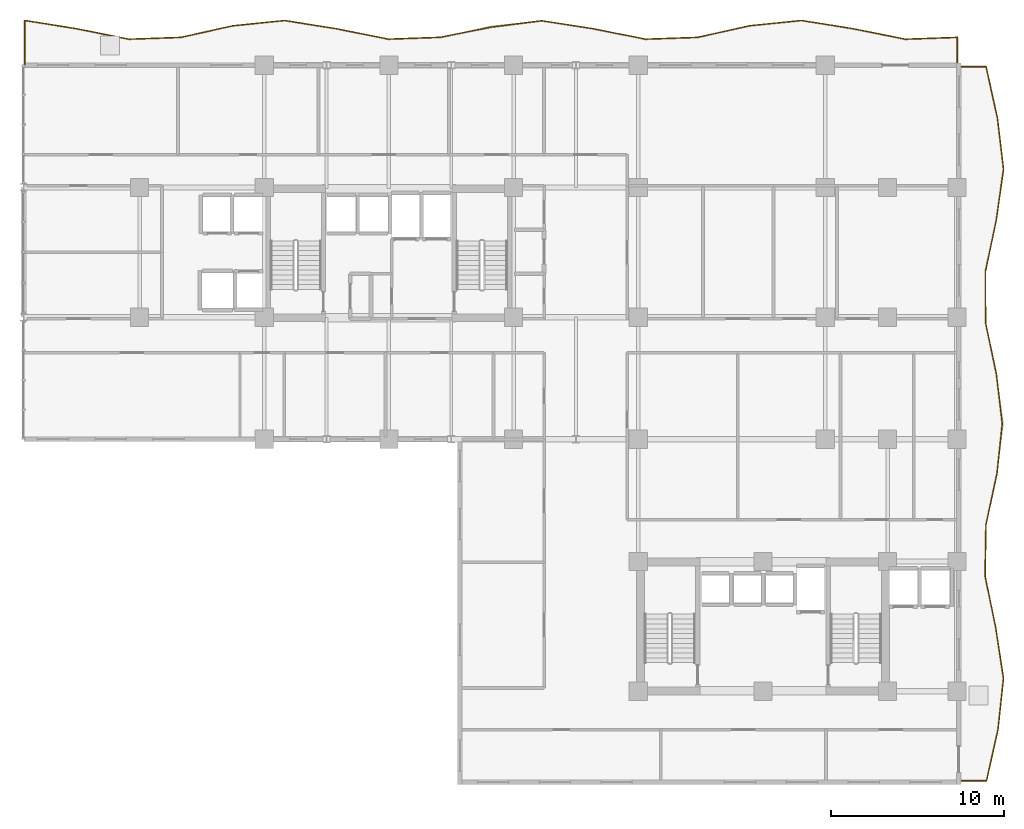
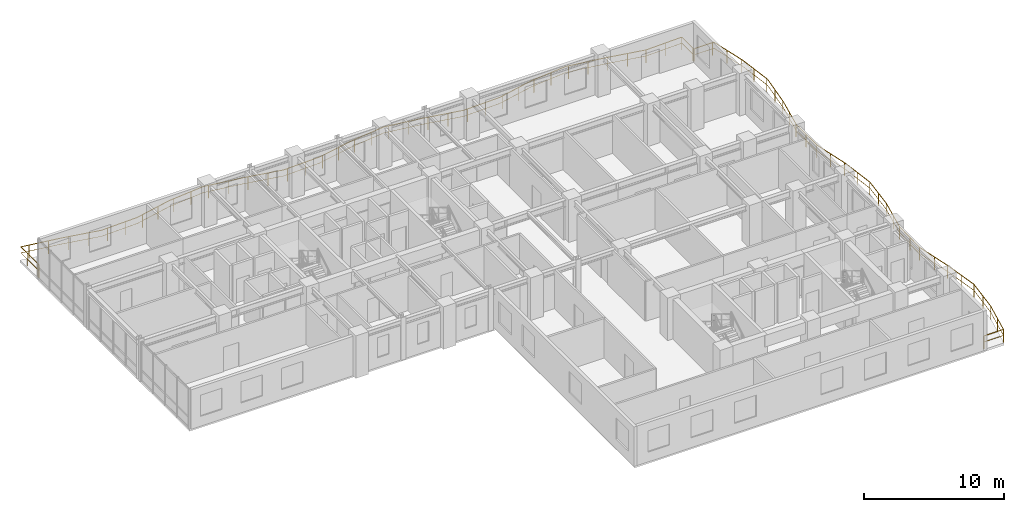
# One storey, part 19 of 19: 2 railings.
"""IFC4 building model written with IfcOpenShell, lengths in metres."""

import ifcopenshell
import ifcopenshell.guid

model = None  # the IFC model being written
_history = None  # IfcOwnerHistory: only IFC2X3 demands one
_inside = {}  # id of a spatial element -> (the spatial element, [elements in it])
_under = {}  # id of a project, library or spatial element -> (it, [spatial elements below it])
_declared = {}  # id of a project -> (the project, [libraries it declares])
_typed = {}  # id of a type object -> (the type object, [elements of that type])
_made_of = {}  # id of a material, layer set ... -> (it, [elements and type objects made of it])


def new_model(schema):
    """Start an empty IFC model of exactly this schema.

    Asked for "IFC4X3", IfcOpenShell would pick the latest addendum, in which some entities
    have other attributes; the version numbers below select the first issue.
    IFC2X3 requires an IfcOwnerHistory on every rooted entity: one is made here for all.
    """
    global model, _history
    if schema == "IFC4X3":
        model = ifcopenshell.file(schema_version=(4, 3, 0, 0))
    else:
        model = ifcopenshell.file(schema=schema)
    _inside.clear()
    _under.clear()
    _declared.clear()
    _typed.clear()
    _made_of.clear()
    _history = None
    if model.schema == "IFC2X3":
        org = make("IfcOrganization", Name="unknown")
        user = make(
            "IfcPersonAndOrganization",
            ThePerson=make("IfcPerson", FamilyName="unknown"),
            TheOrganization=org,
        )
        app = make(
            "IfcApplication",
            ApplicationDeveloper=org,
            Version="unknown",
            ApplicationFullName="unknown",
            ApplicationIdentifier="unknown",
        )
        _history = make(
            "IfcOwnerHistory",
            OwningUser=user,
            OwningApplication=app,
            ChangeAction="ADDED",
            CreationDate=0,
        )
    return model


def make(cls, **values):
    """One entity of the class cls with the attributes given. An attribute that is None is left unset."""
    return model.create_entity(
        cls, **{name: value for name, value in values.items() if value is not None}
    )


def rooted(cls, **values):
    """An entity with a GlobalId (a new one), such as an element, a storey or a relation."""
    return make(cls, GlobalId=ifcopenshell.guid.new(), OwnerHistory=_history, **values)


def si_unit(unit_type, name, prefix=None):
    """IfcSIUnit, for example si_unit("LENGTHUNIT", "METRE", prefix="MILLI")."""
    return make("IfcSIUnit", UnitType=unit_type, Prefix=prefix, Name=name)


def assignment(units):
    """IfcUnitAssignment: the units of a project."""
    return None if units is None else make("IfcUnitAssignment", Units=units)


def point(xyz):
    """IfcCartesianPoint."""
    return None if xyz is None else make("IfcCartesianPoint", Coordinates=xyz)


def direction(xyz):
    """IfcDirection."""
    return None if xyz is None else make("IfcDirection", DirectionRatios=xyz)


def frame(location, z_axis=None, x_axis=None):
    """IfcAxis2Placement3D, a coordinate frame: its origin and axes. An axis left out is left unset."""
    return make(
        "IfcAxis2Placement3D",
        Location=point(location),
        Axis=direction(z_axis),
        RefDirection=direction(x_axis),
    )


def frame_2d(location, x_axis=None):
    """IfcAxis2Placement2D, a coordinate frame in the plane: its origin and x axis."""
    return make(
        "IfcAxis2Placement2D", Location=point(location), RefDirection=direction(x_axis)
    )


def origin():
    """The frame at (0, 0, 0) with its axes left unset."""
    return frame((0.0, 0.0, 0.0))


def origin_2d():
    """The frame at (0, 0) in the plane with its x axis left unset."""
    return frame_2d((0.0, 0.0))


def place(relative_to, where):
    """IfcLocalPlacement: puts the frame where relative to a parent placement (None: the world)."""
    return make(
        "IfcLocalPlacement", PlacementRelTo=relative_to, RelativePlacement=where
    )


def context(
    kind, dimensions, precision=None, world=None, true_north=None, identifier=None
):
    """IfcGeometricRepresentationContext, for example the 3D "Model" context."""
    return make(
        "IfcGeometricRepresentationContext",
        ContextIdentifier=identifier,
        ContextType=kind,
        CoordinateSpaceDimension=dimensions,
        Precision=precision,
        WorldCoordinateSystem=world,
        TrueNorth=true_north,
    )


def subcontext(parent, identifier, kind, view, scale=None):
    """IfcGeometricRepresentationSubContext, for example "Body" below "Model"."""
    return make(
        "IfcGeometricRepresentationSubContext",
        ContextIdentifier=identifier,
        ContextType=kind,
        ParentContext=parent,
        TargetScale=scale,
        TargetView=view,
    )


def project(units=None, contexts=None):
    """IfcProject with its units and contexts."""
    return rooted(
        "IfcProject",
        Name="project",
        RepresentationContexts=contexts,
        UnitsInContext=assignment(units),
    )


def spatial(cls, under=None, at=None, **own):
    """A site, building, storey or space (cls), placed at a placement, below another one or the project."""
    s = rooted(cls, ObjectPlacement=at, **own)
    if under is not None:
        _under.setdefault(under.id(), (under, []))[1].append(s)
    return s


def profile(cls, at=None, kind="AREA", **sizes):
    """A parametric profile (cls). Its sizes go by their IFC names, for example OverallWidth=200.0."""
    return make(cls, ProfileType=kind, Position=at, **sizes)


def rectangle(**sizes):
    """IfcRectangleProfileDef."""
    return profile("IfcRectangleProfileDef", **sizes)


def extrude(swept, where, along, depth):
    """IfcExtrudedAreaSolid: the profile swept, set in the frame where, extruded along a direction by depth."""
    return make(
        "IfcExtrudedAreaSolid",
        SweptArea=swept,
        Position=where,
        ExtrudedDirection=direction(along),
        Depth=depth,
    )


def shape(context_of_items, identifier, shape_type, items):
    """IfcShapeRepresentation: the items that make up one representation, for example the "Body"."""
    return make(
        "IfcShapeRepresentation",
        ContextOfItems=context_of_items,
        RepresentationIdentifier=identifier,
        RepresentationType=shape_type,
        Items=items,
    )


def material(Name=None, Category=None):
    """IfcMaterial."""
    return make("IfcMaterial", Name=Name, Category=Category)


def made_of(thing, what):
    """Note that an element or type object is made of a material, layer set ...; save() writes the relation."""
    if what is not None:
        _made_of.setdefault(what.id(), (what, []))[1].append(thing)
    return thing


def type_object(cls, material=None, **own):
    """A type object (cls), such as IfcWallType, which elements share."""
    return made_of(rooted(cls, **own), material)


def element(
    cls,
    number,
    at=None,
    inside=None,
    cuts=None,
    type_object=None,
    material=None,
    context=None,
    identifier="Body",
    shape_type=None,
    held_by="IfcProductDefinitionShape",
    body=None,
    shapes=None,
    **own,
):
    """One element of the class cls, such as IfcWall. Its Tag is "e" and its number.

    at: its placement. inside: the storey or other place that contains it. cuts: it is an
    opening in that element (IfcRelVoidsElement). A single representation is given by context,
    identifier, shape_type and body (its items); several are given by shapes. held_by: the class
    of the entity that holds the representations. save() writes the other relations.
    """
    e = rooted(cls, Tag="e%d" % number, ObjectPlacement=at, **own)
    if body is not None:
        shapes = [shape(context, identifier, shape_type, body)]
    if shapes is not None:
        e.Representation = make(held_by, Representations=shapes)
    if inside is not None:
        _inside.setdefault(inside.id(), (inside, []))[1].append(e)
    if cuts is not None:
        rooted(
            "IfcRelVoidsElement", RelatingBuildingElement=cuts, RelatedOpeningElement=e
        )
    if type_object is not None:
        _typed.setdefault(type_object.id(), (type_object, []))[1].append(e)
    return made_of(e, material)


def aggregate(whole, parts):
    """IfcRelAggregates: a whole, such as a stair, and the parts it consists of."""
    return rooted("IfcRelAggregates", RelatingObject=whole, RelatedObjects=parts)


def save(model, path):
    """Write the relations noted so far, then the file.

    IfcRelAggregates (storeys below a building ...), IfcRelContainedInSpatialStructure (elements
    in a storey), IfcRelDefinesByType, IfcRelAssociatesMaterial and IfcRelDeclares: one each for
    every whole, place, type object, material and project.
    """
    for whole, parts in _under.values():
        aggregate(whole, parts)
    for where, things in _inside.values():
        rooted(
            "IfcRelContainedInSpatialStructure",
            RelatedElements=things,
            RelatingStructure=where,
        )
    for kind, things in _typed.values():
        rooted("IfcRelDefinesByType", RelatedObjects=things, RelatingType=kind)
    for what, things in _made_of.values():
        rooted("IfcRelAssociatesMaterial", RelatedObjects=things, RelatingMaterial=what)
    for by, libraries in _declared.values():
        rooted("IfcRelDeclares", RelatingContext=by, RelatedDefinitions=libraries)
    model.write(path)


model = new_model("IFC4")

# Units and contexts
model_context = context("Model", 3, precision=1e-05, world=origin(), true_north=direction((0.0, 1.0)))
body_context = subcontext(model_context, "Body", "Model", "MODEL_VIEW")
ifc_project = project(units=[si_unit("LENGTHUNIT", "METRE"), si_unit("AREAUNIT", "SQUARE_METRE"), si_unit("VOLUMEUNIT", "CUBIC_METRE"), si_unit("PLANEANGLEUNIT", "RADIAN"), si_unit("MASSUNIT", "GRAM", prefix="KILO")], contexts=[model_context])

# Site, building, storey
site_placement = place(None, origin())
site = spatial("IfcSite", under=ifc_project, at=site_placement, CompositionType="ELEMENT")
building_placement = place(site_placement, origin())
building = spatial("IfcBuilding", under=site, at=building_placement, Name="Kaliganga Portal Commons", CompositionType="ELEMENT")
storey_placement = place(building_placement, frame((0.0, 0.0, 140.199951171875)))
storey = spatial("IfcBuildingStorey", under=building, at=storey_placement, Name="L35", CompositionType="ELEMENT", Elevation=140.199951171875)

# Railings
ifc_material = material(Name="Laminated Safety Glass and Stainless Steel 316", Category="steel")
railing_type = type_object("IfcRailingType", Name="RLG-BAL-1150", PredefinedType="BALUSTRADE", material=ifc_material)
railing_1_placement = place(storey_placement, frame((54.420166015625, 43.205322265625, 0.0)))
element("IfcRailing", 1, at=railing_1_placement, inside=storey, type_object=railing_type, Name="Balcony Guardrail L35 balc_north", PredefinedType="BALUSTRADE", context=body_context, shape_type="SweptSolid", body=[
    extrude(rectangle(XDim=0.048095703125, YDim=0.048095703125, at=origin_2d()), frame((0.0, 0.0, 1.1259765625), z_axis=(-0.000151860287, 0.999999988469, 0.0), x_axis=(-0.999999988469, -0.000151860287, 0.0)), (0.0, 0.0, 1.0), 1.607666015625),
    extrude(rectangle(XDim=0.028076171875, YDim=0.028076171875, at=origin_2d()), frame((0.0, 0.0, 0.597900390625), z_axis=(-0.000151860287, 0.999999988469, 0.0), x_axis=(-0.999999988469, -0.000151860287, 0.0)), (0.0, 0.0, 1.0), 1.607666015625),
    extrude(rectangle(XDim=0.048095703125, YDim=0.048095703125, at=origin_2d()), frame((-0.000244140625, 1.607666015625, 1.1259765625), z_axis=(-0.999376866679, -0.035297001964, 0.0), x_axis=(0.035297001964, -0.999376866679, 0.0)), (0.0, 0.0, 1.0), 3.001953125),
    extrude(rectangle(XDim=0.028076171875, YDim=0.028076171875, at=origin_2d()), frame((-0.000244140625, 1.607666015625, 0.597900390625), z_axis=(-0.999376866679, -0.035297001964, 0.0), x_axis=(0.035297001964, -0.999376866679, 0.0)), (0.0, 0.0, 1.0), 3.001953125),
    extrude(rectangle(XDim=0.048095703125, YDim=0.048095703125, at=origin_2d()), frame((-3.000244140625, 1.501708984375, 1.1259765625), z_axis=(-0.98034369082, 0.197297359001, 0.0), x_axis=(-0.197297359001, -0.98034369082, 0.0)), (0.0, 0.0, 1.0), 3.06005859375),
    extrude(rectangle(XDim=0.028076171875, YDim=0.028076171875, at=origin_2d()), frame((-3.000244140625, 1.501708984375, 0.597900390625), z_axis=(-0.98034369082, 0.197297359001, 0.0), x_axis=(-0.197297359001, -0.98034369082, 0.0)), (0.0, 0.0, 1.0), 3.06005859375),
    extrude(rectangle(XDim=0.048095703125, YDim=0.048095703125, at=origin_2d()), frame((-6.000244140625, 2.10546875, 1.1259765625), z_axis=(-0.987502244451, 0.157604940292, 0.0), x_axis=(-0.157604940292, -0.987502244451, 0.0)), (0.0, 0.0, 1.0), 3.037841796875),
    extrude(rectangle(XDim=0.028076171875, YDim=0.028076171875, at=origin_2d()), frame((-6.000244140625, 2.10546875, 0.597900390625), z_axis=(-0.987502244451, 0.157604940292, 0.0), x_axis=(-0.157604940292, -0.987502244451, 0.0)), (0.0, 0.0, 1.0), 3.037841796875),
    extrude(rectangle(XDim=0.048095703125, YDim=0.048095703125, at=origin_2d()), frame((-9.0, 2.584228515625, 1.1259765625), z_axis=(-0.994776592164, -0.102076107309, 0.0), x_axis=(0.102076107309, -0.994776592164, 0.0)), (0.0, 0.0, 1.0), 3.01611328125),
    extrude(rectangle(XDim=0.028076171875, YDim=0.028076171875, at=origin_2d()), frame((-9.0, 2.584228515625, 0.597900390625), z_axis=(-0.994776592164, -0.102076107309, 0.0), x_axis=(0.102076107309, -0.994776592164, 0.0)), (0.0, 0.0, 1.0), 3.01611328125),
    extrude(rectangle(XDim=0.048095703125, YDim=0.048095703125, at=origin_2d()), frame((-12.000244140625, 2.2763671875, 1.1259765625), z_axis=(-0.976097261881, -0.217334155966, 0.0), x_axis=(0.217334155966, -0.976097261881, 0.0)), (0.0, 0.0, 1.0), 3.073486328125),
    extrude(rectangle(XDim=0.028076171875, YDim=0.028076171875, at=origin_2d()), frame((-12.000244140625, 2.2763671875, 0.597900390625), z_axis=(-0.976097261881, -0.217334155966, 0.0), x_axis=(0.217334155966, -0.976097261881, 0.0)), (0.0, 0.0, 1.0), 3.073486328125),
    extrude(rectangle(XDim=0.048095703125, YDim=0.048095703125, at=origin_2d()), frame((-15.000244140625, 1.6083984375, 1.1259765625), z_axis=(-0.999388289586, -0.034972083701, 0.0), x_axis=(0.034972083701, -0.999388289586, 0.0)), (0.0, 0.0, 1.0), 3.001953125),
    extrude(rectangle(XDim=0.028076171875, YDim=0.028076171875, at=origin_2d()), frame((-15.000244140625, 1.6083984375, 0.597900390625), z_axis=(-0.999388289586, -0.034972083701, 0.0), x_axis=(0.034972083701, -0.999388289586, 0.0)), (0.0, 0.0, 1.0), 3.001953125),
    extrude(rectangle(XDim=0.048095703125, YDim=0.048095703125, at=origin_2d()), frame((-18.000244140625, 1.50341796875, 1.1259765625), z_axis=(-0.98061749348, 0.195931956254, 0.0), x_axis=(-0.195931956254, -0.98061749348, 0.0)), (0.0, 0.0, 1.0), 3.05908203125),
    extrude(rectangle(XDim=0.028076171875, YDim=0.028076171875, at=origin_2d()), frame((-18.000244140625, 1.50341796875, 0.597900390625), z_axis=(-0.98061749348, 0.195931956254, 0.0), x_axis=(-0.195931956254, -0.98061749348, 0.0)), (0.0, 0.0, 1.0), 3.05908203125),
    extrude(rectangle(XDim=0.048095703125, YDim=0.048095703125, at=origin_2d()), frame((-21.0, 2.102783203125, 1.1259765625), z_axis=(-0.988188617306, 0.153242476572, 0.0), x_axis=(-0.153242476572, -0.988188617306, 0.0)), (0.0, 0.0, 1.0), 3.033447265625),
    extrude(rectangle(XDim=0.028076171875, YDim=0.028076171875, at=origin_2d()), frame((-21.0, 2.102783203125, 0.597900390625), z_axis=(-0.988188617306, 0.153242476572, 0.0), x_axis=(-0.153242476572, -0.988188617306, 0.0)), (0.0, 0.0, 1.0), 3.033447265625),
    extrude(rectangle(XDim=0.048095703125, YDim=0.048095703125, at=origin_2d()), frame((-23.99755859375, 2.567626953125, 1.1259765625), z_axis=(-0.99212797931, -0.125228082594, 0.0), x_axis=(0.125228082594, -0.99212797931, 0.0)), (0.0, 0.0, 1.0), 2.94580078125),
    extrude(rectangle(XDim=0.028076171875, YDim=0.028076171875, at=origin_2d()), frame((-23.99755859375, 2.567626953125, 0.597900390625), z_axis=(-0.99212797931, -0.125228082594, 0.0), x_axis=(0.125228082594, -0.99212797931, 0.0)), (0.0, 0.0, 1.0), 2.94580078125),
    extrude(rectangle(XDim=0.048095703125, YDim=0.048095703125, at=origin_2d()), frame((-26.920166015625, 2.19873046875, 1.1259765625), z_axis=(-0.980441712138, -0.196809677355, 0.0), x_axis=(0.196809677355, -0.980441712138, 0.0)), (0.0, 0.0, 1.0), 2.978515625),
    extrude(rectangle(XDim=0.028076171875, YDim=0.028076171875, at=origin_2d()), frame((-26.920166015625, 2.19873046875, 0.597900390625), z_axis=(-0.980441712138, -0.196809677355, 0.0), x_axis=(0.196809677355, -0.980441712138, 0.0)), (0.0, 0.0, 1.0), 2.978515625),
    extrude(rectangle(XDim=0.048095703125, YDim=0.048095703125, at=origin_2d()), frame((-29.84033203125, 1.612548828125, 1.1259765625), z_axis=(-0.999356623049, -0.035865581931, 0.0), x_axis=(0.035865581931, -0.999356623049, 0.0)), (0.0, 0.0, 1.0), 3.001953125),
    extrude(rectangle(XDim=0.028076171875, YDim=0.028076171875, at=origin_2d()), frame((-29.84033203125, 1.612548828125, 0.597900390625), z_axis=(-0.999356623049, -0.035865581931, 0.0), x_axis=(0.035865581931, -0.999356623049, 0.0)), (0.0, 0.0, 1.0), 3.001953125),
    extrude(rectangle(XDim=0.048095703125, YDim=0.048095703125, at=origin_2d()), frame((-32.84033203125, 1.5048828125, 1.1259765625), z_axis=(-0.98063282483, 0.195855208931, 0.0), x_axis=(-0.195855208931, -0.98063282483, 0.0)), (0.0, 0.0, 1.0), 3.05908203125),
    extrude(rectangle(XDim=0.028076171875, YDim=0.028076171875, at=origin_2d()), frame((-32.84033203125, 1.5048828125, 0.597900390625), z_axis=(-0.98063282483, 0.195855208931, 0.0), x_axis=(-0.195855208931, -0.98063282483, 0.0)), (0.0, 0.0, 1.0), 3.05908203125),
    extrude(rectangle(XDim=0.048095703125, YDim=0.048095703125, at=origin_2d()), frame((-35.840087890625, 2.10400390625, 1.1259765625), z_axis=(-0.987531233221, 0.15742319846, 0.0), x_axis=(-0.15742319846, -0.987531233221, 0.0)), (0.0, 0.0, 1.0), 3.0380859375),
    extrude(rectangle(XDim=0.028076171875, YDim=0.028076171875, at=origin_2d()), frame((-35.840087890625, 2.10400390625, 0.597900390625), z_axis=(-0.987531233221, 0.15742319846, 0.0), x_axis=(-0.15742319846, -0.987531233221, 0.0)), (0.0, 0.0, 1.0), 3.0380859375),
    extrude(rectangle(XDim=0.048095703125, YDim=0.048095703125, at=origin_2d()), frame((-38.84033203125, 2.582275390625, 1.1259765625), z_axis=(-0.994840481775, -0.101451544206, 0.0), x_axis=(0.101451544206, -0.994840481775, 0.0)), (0.0, 0.0, 1.0), 3.015380859375),
    extrude(rectangle(XDim=0.028076171875, YDim=0.028076171875, at=origin_2d()), frame((-38.84033203125, 2.582275390625, 0.597900390625), z_axis=(-0.994840481775, -0.101451544206, 0.0), x_axis=(0.101451544206, -0.994840481775, 0.0)), (0.0, 0.0, 1.0), 3.015380859375),
    extrude(rectangle(XDim=0.048095703125, YDim=0.048095703125, at=origin_2d()), frame((-41.840087890625, 2.2763671875, 1.1259765625), z_axis=(-0.976063548743, -0.217485514035, 0.0), x_axis=(0.217485514035, -0.976063548743, 0.0)), (0.0, 0.0, 1.0), 3.073486328125),
    extrude(rectangle(XDim=0.028076171875, YDim=0.028076171875, at=origin_2d()), frame((-41.840087890625, 2.2763671875, 0.597900390625), z_axis=(-0.976063548743, -0.217485514035, 0.0), x_axis=(0.217485514035, -0.976063548743, 0.0)), (0.0, 0.0, 1.0), 3.073486328125),
    extrude(rectangle(XDim=0.048095703125, YDim=0.048095703125, at=origin_2d()), frame((-44.840087890625, 1.60791015625, 1.1259765625), z_axis=(-0.999376866679, -0.035297001964, 0.0), x_axis=(0.035297001964, -0.999376866679, 0.0)), (0.0, 0.0, 1.0), 3.001953125),
    extrude(rectangle(XDim=0.028076171875, YDim=0.028076171875, at=origin_2d()), frame((-44.840087890625, 1.60791015625, 0.597900390625), z_axis=(-0.999376866679, -0.035297001964, 0.0), x_axis=(0.035297001964, -0.999376866679, 0.0)), (0.0, 0.0, 1.0), 3.001953125),
    extrude(rectangle(XDim=0.048095703125, YDim=0.048095703125, at=origin_2d()), frame((-47.840087890625, 1.501953125, 1.1259765625), z_axis=(-0.98034369082, 0.197297359001, 0.0), x_axis=(-0.197297359001, -0.98034369082, 0.0)), (0.0, 0.0, 1.0), 3.06005859375),
    extrude(rectangle(XDim=0.028076171875, YDim=0.028076171875, at=origin_2d()), frame((-47.840087890625, 1.501953125, 0.597900390625), z_axis=(-0.98034369082, 0.197297359001, 0.0), x_axis=(-0.197297359001, -0.98034369082, 0.0)), (0.0, 0.0, 1.0), 3.06005859375),
    extrude(rectangle(XDim=0.048095703125, YDim=0.048095703125, at=origin_2d()), frame((-50.840087890625, 2.105712890625, 1.1259765625), z_axis=(-0.987466694802, 0.157827521858, 0.0), x_axis=(-0.157827521858, -0.987466694802, 0.0)), (0.0, 0.0, 1.0), 3.0380859375),
    extrude(rectangle(XDim=0.028076171875, YDim=0.028076171875, at=origin_2d()), frame((-50.840087890625, 2.105712890625, 0.597900390625), z_axis=(-0.987466694802, 0.157827521858, 0.0), x_axis=(-0.157827521858, -0.987466694802, 0.0)), (0.0, 0.0, 1.0), 3.0380859375),
    extrude(rectangle(XDim=0.048095703125, YDim=0.048095703125, at=origin_2d()), frame((-53.840087890625, 2.585205078125, 1.1259765625), z_axis=(-9.4437624e-05, -0.999999995541, 0.0), x_axis=(0.999999995541, -9.4437624e-05, 0.0)), (0.0, 0.0, 1.0), 2.585205078125),
    extrude(rectangle(XDim=0.028076171875, YDim=0.028076171875, at=origin_2d()), frame((-53.840087890625, 2.585205078125, 0.597900390625), z_axis=(-9.4437624e-05, -0.999999995541, 0.0), x_axis=(0.999999995541, -9.4437624e-05, 0.0)), (0.0, 0.0, 1.0), 2.585205078125),
    extrude(rectangle(XDim=0.0419921875, YDim=0.0419921875, at=origin_2d()), origin(), (0.0, 0.0, 1.0), 1.101806640625),
    extrude(rectangle(XDim=0.0419921875, YDim=0.0419921875, at=origin_2d()), frame((-0.000244140625, 1.607666015625, 0.0)), (0.0, 0.0, 1.0), 1.101806640625),
    extrude(rectangle(XDim=0.0419921875, YDim=0.0419921875, at=origin_2d()), frame((-1.3916015625, 1.55859375, 0.0)), (0.0, 0.0, 1.0), 1.101806640625),
    extrude(rectangle(XDim=0.0419921875, YDim=0.0419921875, at=origin_2d()), frame((-3.000244140625, 1.501708984375, 0.0)), (0.0, 0.0, 1.0), 1.101806640625),
    extrude(rectangle(XDim=0.0419921875, YDim=0.0419921875, at=origin_2d()), frame((-4.36328125, 1.776123046875, 0.0)), (0.0, 0.0, 1.0), 1.101806640625),
    extrude(rectangle(XDim=0.0419921875, YDim=0.0419921875, at=origin_2d()), frame((-5.833984375, 2.072021484375, 0.0)), (0.0, 0.0, 1.0), 1.101806640625),
    extrude(rectangle(XDim=0.0419921875, YDim=0.0419921875, at=origin_2d()), frame((-7.31396484375, 2.315185546875, 0.0)), (0.0, 0.0, 1.0), 1.101806640625),
    extrude(rectangle(XDim=0.0419921875, YDim=0.0419921875, at=origin_2d()), frame((-8.795166015625, 2.551513671875, 0.0)), (0.0, 0.0, 1.0), 1.101806640625),
    extrude(rectangle(XDim=0.0419921875, YDim=0.0419921875, at=origin_2d()), frame((-10.285888671875, 2.452392578125, 0.0)), (0.0, 0.0, 1.0), 1.101806640625),
    extrude(rectangle(XDim=0.0419921875, YDim=0.0419921875, at=origin_2d()), frame((-11.778076171875, 2.299072265625, 0.0)), (0.0, 0.0, 1.0), 1.101806640625),
    extrude(rectangle(XDim=0.0419921875, YDim=0.0419921875, at=origin_2d()), frame((-13.246337890625, 1.9990234375, 0.0)), (0.0, 0.0, 1.0), 1.101806640625),
    extrude(rectangle(XDim=0.0419921875, YDim=0.0419921875, at=origin_2d()), frame((-14.71044921875, 1.6728515625, 0.0)), (0.0, 0.0, 1.0), 1.101806640625),
    extrude(rectangle(XDim=0.0419921875, YDim=0.0419921875, at=origin_2d()), frame((-16.20263671875, 1.56640625, 0.0)), (0.0, 0.0, 1.0), 1.101806640625),
    extrude(rectangle(XDim=0.0419921875, YDim=0.0419921875, at=origin_2d()), frame((-17.70166015625, 1.513916015625, 0.0)), (0.0, 0.0, 1.0), 1.101806640625),
    extrude(rectangle(XDim=0.0419921875, YDim=0.0419921875, at=origin_2d()), frame((-19.17822265625, 1.73876953125, 0.0)), (0.0, 0.0, 1.0), 1.101806640625),
    extrude(rectangle(XDim=0.0419921875, YDim=0.0419921875, at=origin_2d()), frame((-20.649169921875, 2.03271484375, 0.0)), (0.0, 0.0, 1.0), 1.101806640625),
    extrude(rectangle(XDim=0.0419921875, YDim=0.0419921875, at=origin_2d()), frame((-22.128662109375, 2.27783203125, 0.0)), (0.0, 0.0, 1.0), 1.101806640625),
    extrude(rectangle(XDim=0.0419921875, YDim=0.0419921875, at=origin_2d()), frame((-23.611083984375, 2.507568359375, 0.0)), (0.0, 0.0, 1.0), 1.101806640625),
    extrude(rectangle(XDim=0.0419921875, YDim=0.0419921875, at=origin_2d()), frame((-25.09765625, 2.4287109375, 0.0)), (0.0, 0.0, 1.0), 1.101806640625),
    extrude(rectangle(XDim=0.0419921875, YDim=0.0419921875, at=origin_2d()), frame((-26.5859375, 2.240966796875, 0.0)), (0.0, 0.0, 1.0), 1.101806640625),
    extrude(rectangle(XDim=0.0419921875, YDim=0.0419921875, at=origin_2d()), frame((-28.060546875, 1.9697265625, 0.0)), (0.0, 0.0, 1.0), 1.101806640625),
    extrude(rectangle(XDim=0.0419921875, YDim=0.0419921875, at=origin_2d()), frame((-29.53125, 1.674560546875, 0.0)), (0.0, 0.0, 1.0), 1.101806640625),
    extrude(rectangle(XDim=0.0419921875, YDim=0.0419921875, at=origin_2d()), frame((-31.024169921875, 1.570068359375, 0.0)), (0.0, 0.0, 1.0), 1.101806640625),
    extrude(rectangle(XDim=0.0419921875, YDim=0.0419921875, at=origin_2d()), frame((-32.523193359375, 1.516357421875, 0.0)), (0.0, 0.0, 1.0), 1.101806640625),
    extrude(rectangle(XDim=0.0419921875, YDim=0.0419921875, at=origin_2d()), frame((-34.000244140625, 1.736572265625, 0.0)), (0.0, 0.0, 1.0), 1.101806640625),
    extrude(rectangle(XDim=0.0419921875, YDim=0.0419921875, at=origin_2d()), frame((-35.47119140625, 2.0302734375, 0.0)), (0.0, 0.0, 1.0), 1.101806640625),
    extrude(rectangle(XDim=0.0419921875, YDim=0.0419921875, at=origin_2d()), frame((-36.94970703125, 2.281005859375, 0.0)), (0.0, 0.0, 1.0), 1.101806640625),
    extrude(rectangle(XDim=0.0419921875, YDim=0.0419921875, at=origin_2d()), frame((-38.43115234375, 2.51708984375, 0.0)), (0.0, 0.0, 1.0), 1.101806640625),
    extrude(rectangle(XDim=0.0419921875, YDim=0.0419921875, at=origin_2d()), frame((-39.92041015625, 2.47216796875, 0.0)), (0.0, 0.0, 1.0), 1.101806640625),
    extrude(rectangle(XDim=0.0419921875, YDim=0.0419921875, at=origin_2d()), frame((-41.41259765625, 2.320068359375, 0.0)), (0.0, 0.0, 1.0), 1.101806640625),
    extrude(rectangle(XDim=0.0419921875, YDim=0.0419921875, at=origin_2d()), frame((-42.884765625, 2.043701171875, 0.0)), (0.0, 0.0, 1.0), 1.101806640625),
    extrude(rectangle(XDim=0.0419921875, YDim=0.0419921875, at=origin_2d()), frame((-44.348876953125, 1.71728515625, 0.0)), (0.0, 0.0, 1.0), 1.101806640625),
    extrude(rectangle(XDim=0.0419921875, YDim=0.0419921875, at=origin_2d()), frame((-45.836181640625, 1.57275390625, 0.0)), (0.0, 0.0, 1.0), 1.101806640625),
    extrude(rectangle(XDim=0.0419921875, YDim=0.0419921875, at=origin_2d()), frame((-47.335205078125, 1.519775390625, 0.0)), (0.0, 0.0, 1.0), 1.101806640625),
    extrude(rectangle(XDim=0.0419921875, YDim=0.0419921875, at=origin_2d()), frame((-48.8154296875, 1.6982421875, 0.0)), (0.0, 0.0, 1.0), 1.101806640625),
    extrude(rectangle(XDim=0.0419921875, YDim=0.0419921875, at=origin_2d()), frame((-50.285888671875, 1.994140625, 0.0)), (0.0, 0.0, 1.0), 1.101806640625),
    extrude(rectangle(XDim=0.0419921875, YDim=0.0419921875, at=origin_2d()), frame((-51.762939453125, 2.253173828125, 0.0)), (0.0, 0.0, 1.0), 1.101806640625),
    extrude(rectangle(XDim=0.0419921875, YDim=0.0419921875, at=origin_2d()), frame((-53.244140625, 2.489990234375, 0.0)), (0.0, 0.0, 1.0), 1.101806640625),
    extrude(rectangle(XDim=0.0419921875, YDim=0.0419921875, at=origin_2d()), frame((-53.840087890625, 1.688720703125, 0.0)), (0.0, 0.0, 1.0), 1.101806640625),
    extrude(rectangle(XDim=0.0419921875, YDim=0.0419921875, at=origin_2d()), frame((-53.84033203125, 0.188720703125, 0.0)), (0.0, 0.0, 1.0), 1.101806640625),
    extrude(rectangle(XDim=0.0419921875, YDim=0.0419921875, at=origin_2d()), frame((-53.84033203125, 0.0, 0.0)), (0.0, 0.0, 1.0), 1.101806640625),
])
railing_2_placement = place(storey_placement, frame((54.5068359375, 1.879638671875, 0.0)))
element("IfcRailing", 2, at=railing_2_placement, inside=storey, type_object=railing_type, Name="Balcony Guardrail L35 balc_east", PredefinedType="BALUSTRADE", context=body_context, shape_type="SweptSolid", body=[
    extrude(rectangle(XDim=0.048095703125, YDim=0.048095703125, at=origin_2d()), frame((0.0, 0.0, 1.1259765625), z_axis=(0.999999988448, 0.000151998782, 0.0), x_axis=(-0.000151998782, 0.999999988448, 0.0)), (0.0, 0.0, 1.0), 1.606201171875),
    extrude(rectangle(XDim=0.028076171875, YDim=0.028076171875, at=origin_2d()), frame((0.0, 0.0, 0.597900390625), z_axis=(0.999999988448, 0.000151998782, 0.0), x_axis=(-0.000151998782, 0.999999988448, 0.0)), (0.0, 0.0, 1.0), 1.606201171875),
    extrude(rectangle(XDim=0.048095703125, YDim=0.048095703125, at=origin_2d()), frame((1.606201171875, 0.000244140625, 1.1259765625), z_axis=(0.217715288899, 0.976012322145, 0.0), x_axis=(-0.976012322145, 0.217715288899, 0.0)), (0.0, 0.0, 1.0), 3.030029296875),
    extrude(rectangle(XDim=0.028076171875, YDim=0.028076171875, at=origin_2d()), frame((1.606201171875, 0.000244140625, 0.597900390625), z_axis=(0.217715288899, 0.976012322145, 0.0), x_axis=(-0.976012322145, 0.217715288899, 0.0)), (0.0, 0.0, 1.0), 3.030029296875),
    extrude(rectangle(XDim=0.048095703125, YDim=0.048095703125, at=origin_2d()), frame((2.265869140625, 2.95751953125, 1.1259765625), z_axis=(0.107205528893, 0.994236880514, 0.0), x_axis=(-0.994236880514, 0.107205528893, 0.0)), (0.0, 0.0, 1.0), 2.97412109375),
    extrude(rectangle(XDim=0.028076171875, YDim=0.028076171875, at=origin_2d()), frame((2.265869140625, 2.95751953125, 0.597900390625), z_axis=(0.107205528893, 0.994236880514, 0.0), x_axis=(-0.994236880514, 0.107205528893, 0.0)), (0.0, 0.0, 1.0), 2.97412109375),
    extrude(rectangle(XDim=0.048095703125, YDim=0.048095703125, at=origin_2d()), frame((2.584716796875, 5.91455078125, 1.1259765625), z_axis=(-0.150898020322, 0.988549334865, 0.0), x_axis=(-0.988549334865, -0.150898020322, 0.0)), (0.0, 0.0, 1.0), 2.991455078125),
    extrude(rectangle(XDim=0.028076171875, YDim=0.028076171875, at=origin_2d()), frame((2.584716796875, 5.91455078125, 0.597900390625), z_axis=(-0.150898020322, 0.988549334865, 0.0), x_axis=(-0.988549334865, -0.150898020322, 0.0)), (0.0, 0.0, 1.0), 2.991455078125),
    extrude(rectangle(XDim=0.048095703125, YDim=0.048095703125, at=origin_2d()), frame((2.13330078125, 8.871826171875, 1.1259765625), z_axis=(-0.202533417793, 0.979275351817, 0.0), x_axis=(-0.979275351817, -0.202533417793, 0.0)), (0.0, 0.0, 1.0), 3.01953125),
    extrude(rectangle(XDim=0.028076171875, YDim=0.028076171875, at=origin_2d()), frame((2.13330078125, 8.871826171875, 0.597900390625), z_axis=(-0.202533417793, 0.979275351817, 0.0), x_axis=(-0.979275351817, -0.202533417793, 0.0)), (0.0, 0.0, 1.0), 3.01953125),
    extrude(rectangle(XDim=0.048095703125, YDim=0.048095703125, at=origin_2d()), frame((1.521728515625, 11.828857421875, 1.1259765625), z_axis=(0.017418096922, 0.999848293442, 0.0), x_axis=(-0.999848293442, 0.017418096922, 0.0)), (0.0, 0.0, 1.0), 2.95751953125),
    extrude(rectangle(XDim=0.028076171875, YDim=0.028076171875, at=origin_2d()), frame((1.521728515625, 11.828857421875, 0.597900390625), z_axis=(0.017418096922, 0.999848293442, 0.0), x_axis=(-0.999848293442, 0.017418096922, 0.0)), (0.0, 0.0, 1.0), 2.95751953125),
    extrude(rectangle(XDim=0.048095703125, YDim=0.048095703125, at=origin_2d()), frame((1.5732421875, 14.785888671875, 1.1259765625), z_axis=(0.210146551691, 0.977669896648, 0.0), x_axis=(-0.977669896648, 0.210146551691, 0.0)), (0.0, 0.0, 1.0), 3.024169921875),
    extrude(rectangle(XDim=0.028076171875, YDim=0.028076171875, at=origin_2d()), frame((1.5732421875, 14.785888671875, 0.597900390625), z_axis=(0.210146551691, 0.977669896648, 0.0), x_axis=(-0.977669896648, 0.210146551691, 0.0)), (0.0, 0.0, 1.0), 3.024169921875),
    extrude(rectangle(XDim=0.048095703125, YDim=0.048095703125, at=origin_2d()), frame((2.208740234375, 17.742431640625, 1.1259765625), z_axis=(0.105115136828, 0.994460058529, 0.0), x_axis=(-0.994460058529, 0.105115136828, 0.0)), (0.0, 0.0, 1.0), 2.89404296875),
    extrude(rectangle(XDim=0.028076171875, YDim=0.028076171875, at=origin_2d()), frame((2.208740234375, 17.742431640625, 0.597900390625), z_axis=(0.105115136828, 0.994460058529, 0.0), x_axis=(-0.994460058529, 0.105115136828, 0.0)), (0.0, 0.0, 1.0), 2.89404296875),
    extrude(rectangle(XDim=0.048095703125, YDim=0.048095703125, at=origin_2d()), frame((2.512939453125, 20.620361328125, 1.1259765625), z_axis=(-0.116616358521, 0.993177036044, 0.0), x_axis=(-0.993177036044, -0.116616358521, 0.0)), (0.0, 0.0, 1.0), 2.8974609375),
    extrude(rectangle(XDim=0.028076171875, YDim=0.028076171875, at=origin_2d()), frame((2.512939453125, 20.620361328125, 0.597900390625), z_axis=(-0.116616358521, 0.993177036044, 0.0), x_axis=(-0.993177036044, -0.116616358521, 0.0)), (0.0, 0.0, 1.0), 2.8974609375),
    extrude(rectangle(XDim=0.048095703125, YDim=0.048095703125, at=origin_2d()), frame((2.175048828125, 23.498046875, 1.1259765625), z_axis=(-0.206421705444, 0.978463121186, 0.0), x_axis=(-0.978463121186, -0.206421705444, 0.0)), (0.0, 0.0, 1.0), 3.02197265625),
    extrude(rectangle(XDim=0.028076171875, YDim=0.028076171875, at=origin_2d()), frame((2.175048828125, 23.498046875, 0.597900390625), z_axis=(-0.206421705444, 0.978463121186, 0.0), x_axis=(-0.978463121186, -0.206421705444, 0.0)), (0.0, 0.0, 1.0), 3.02197265625),
    extrude(rectangle(XDim=0.048095703125, YDim=0.048095703125, at=origin_2d()), frame((1.55126953125, 26.454833984375, 1.1259765625), z_axis=(-0.003385053261, 0.999994270691, 0.0), x_axis=(-0.999994270691, -0.003385053261, 0.0)), (0.0, 0.0, 1.0), 2.95703125),
    extrude(rectangle(XDim=0.028076171875, YDim=0.028076171875, at=origin_2d()), frame((1.55126953125, 26.454833984375, 0.597900390625), z_axis=(-0.003385053261, 0.999994270691, 0.0), x_axis=(-0.999994270691, -0.003385053261, 0.0)), (0.0, 0.0, 1.0), 2.95703125),
    extrude(rectangle(XDim=0.048095703125, YDim=0.048095703125, at=origin_2d()), frame((1.541259765625, 29.411865234375, 1.1259765625), z_axis=(0.207487813825, 0.978237602587, 0.0), x_axis=(-0.978237602587, 0.207487813825, 0.0)), (0.0, 0.0, 1.0), 3.022705078125),
    extrude(rectangle(XDim=0.028076171875, YDim=0.028076171875, at=origin_2d()), frame((1.541259765625, 29.411865234375, 0.597900390625), z_axis=(0.207487813825, 0.978237602587, 0.0), x_axis=(-0.978237602587, 0.207487813825, 0.0)), (0.0, 0.0, 1.0), 3.022705078125),
    extrude(rectangle(XDim=0.048095703125, YDim=0.048095703125, at=origin_2d()), frame((2.16845703125, 32.368896484375, 1.1259765625), z_axis=(0.140345589604, 0.990102578261, 0.0), x_axis=(-0.990102578261, 0.140345589604, 0.0)), (0.0, 0.0, 1.0), 2.98681640625),
    extrude(rectangle(XDim=0.028076171875, YDim=0.028076171875, at=origin_2d()), frame((2.16845703125, 32.368896484375, 0.597900390625), z_axis=(0.140345589604, 0.990102578261, 0.0), x_axis=(-0.990102578261, 0.140345589604, 0.0)), (0.0, 0.0, 1.0), 2.98681640625),
    extrude(rectangle(XDim=0.048095703125, YDim=0.048095703125, at=origin_2d()), frame((2.587646484375, 35.326171875, 1.1259765625), z_axis=(-0.119109663566, 0.992881104687, 0.0), x_axis=(-0.992881104687, -0.119109663566, 0.0)), (0.0, 0.0, 1.0), 2.978271484375),
    extrude(rectangle(XDim=0.028076171875, YDim=0.028076171875, at=origin_2d()), frame((2.587646484375, 35.326171875, 0.597900390625), z_axis=(-0.119109663566, 0.992881104687, 0.0), x_axis=(-0.992881104687, -0.119109663566, 0.0)), (0.0, 0.0, 1.0), 2.978271484375),
    extrude(rectangle(XDim=0.048095703125, YDim=0.048095703125, at=origin_2d()), frame((2.23291015625, 38.283203125, 1.1259765625), z_axis=(-0.215103246438, 0.976591313381, 0.0), x_axis=(-0.976591313381, -0.215103246438, 0.0)), (0.0, 0.0, 1.0), 3.028076171875),
    extrude(rectangle(XDim=0.028076171875, YDim=0.028076171875, at=origin_2d()), frame((2.23291015625, 38.283203125, 0.597900390625), z_axis=(-0.215103246438, 0.976591313381, 0.0), x_axis=(-0.976591313381, -0.215103246438, 0.0)), (0.0, 0.0, 1.0), 3.028076171875),
    extrude(rectangle(XDim=0.048095703125, YDim=0.048095703125, at=origin_2d()), frame((1.58154296875, 41.240478515625, 1.1259765625), z_axis=(-0.999999988085, 0.00015436863, 0.0), x_axis=(-0.00015436863, -0.999999988085, 0.0)), (0.0, 0.0, 1.0), 1.58154296875),
    extrude(rectangle(XDim=0.028076171875, YDim=0.028076171875, at=origin_2d()), frame((1.58154296875, 41.240478515625, 0.597900390625), z_axis=(-0.999999988085, 0.00015436863, 0.0), x_axis=(-0.00015436863, -0.999999988085, 0.0)), (0.0, 0.0, 1.0), 1.58154296875),
    extrude(rectangle(XDim=0.0419921875, YDim=0.0419921875, at=origin_2d()), origin(), (0.0, 0.0, 1.0), 1.101806640625),
    extrude(rectangle(XDim=0.0419921875, YDim=0.0419921875, at=origin_2d()), frame((1.606201171875, 0.000244140625, 0.0)), (0.0, 0.0, 1.0), 1.101806640625),
    extrude(rectangle(XDim=0.0419921875, YDim=0.0419921875, at=origin_2d()), frame((1.90966796875, 1.360595703125, 0.0)), (0.0, 0.0, 1.0), 1.101806640625),
    extrude(rectangle(XDim=0.0419921875, YDim=0.0419921875, at=origin_2d()), frame((2.265869140625, 2.95751953125, 0.0)), (0.0, 0.0, 1.0), 1.101806640625),
    extrude(rectangle(XDim=0.0419921875, YDim=0.0419921875, at=origin_2d()), frame((2.412109375, 4.3134765625, 0.0)), (0.0, 0.0, 1.0), 1.101806640625),
    extrude(rectangle(XDim=0.0419921875, YDim=0.0419921875, at=origin_2d()), frame((2.584716796875, 5.91455078125, 0.0)), (0.0, 0.0, 1.0), 1.101806640625),
    extrude(rectangle(XDim=0.0419921875, YDim=0.0419921875, at=origin_2d()), frame((2.375, 7.288330078125, 0.0)), (0.0, 0.0, 1.0), 1.101806640625),
    extrude(rectangle(XDim=0.0419921875, YDim=0.0419921875, at=origin_2d()), frame((2.13330078125, 8.871826171875, 0.0)), (0.0, 0.0, 1.0), 1.101806640625),
    extrude(rectangle(XDim=0.0419921875, YDim=0.0419921875, at=origin_2d()), frame((1.85009765625, 10.240966796875, 0.0)), (0.0, 0.0, 1.0), 1.101806640625),
    extrude(rectangle(XDim=0.0419921875, YDim=0.0419921875, at=origin_2d()), frame((1.521728515625, 11.828857421875, 0.0)), (0.0, 0.0, 1.0), 1.101806640625),
    extrude(rectangle(XDim=0.0419921875, YDim=0.0419921875, at=origin_2d()), frame((1.545654296875, 13.207275390625, 0.0)), (0.0, 0.0, 1.0), 1.101806640625),
    extrude(rectangle(XDim=0.0419921875, YDim=0.0419921875, at=origin_2d()), frame((1.5732421875, 14.785888671875, 0.0)), (0.0, 0.0, 1.0), 1.101806640625),
    extrude(rectangle(XDim=0.0419921875, YDim=0.0419921875, at=origin_2d()), frame((1.871826171875, 16.17529296875, 0.0)), (0.0, 0.0, 1.0), 1.101806640625),
    extrude(rectangle(XDim=0.0419921875, YDim=0.0419921875, at=origin_2d()), frame((2.208740234375, 17.742431640625, 0.0)), (0.0, 0.0, 1.0), 1.101806640625),
    extrude(rectangle(XDim=0.0419921875, YDim=0.0419921875, at=origin_2d()), frame((2.35546875, 19.131591796875, 0.0)), (0.0, 0.0, 1.0), 1.101806640625),
    extrude(rectangle(XDim=0.0419921875, YDim=0.0419921875, at=origin_2d()), frame((2.5126953125, 20.623291015625, 0.0)), (0.0, 0.0, 1.0), 1.101806640625),
    extrude(rectangle(XDim=0.0419921875, YDim=0.0419921875, at=origin_2d()), frame((2.337646484375, 22.113037109375, 0.0)), (0.0, 0.0, 1.0), 1.101806640625),
    extrude(rectangle(XDim=0.0419921875, YDim=0.0419921875, at=origin_2d()), frame((2.1533203125, 23.601318359375, 0.0)), (0.0, 0.0, 1.0), 1.101806640625),
    extrude(rectangle(XDim=0.0419921875, YDim=0.0419921875, at=origin_2d()), frame((1.843505859375, 25.069091796875, 0.0)), (0.0, 0.0, 1.0), 1.101806640625),
    extrude(rectangle(XDim=0.0419921875, YDim=0.0419921875, at=origin_2d()), frame((1.551025390625, 26.53857421875, 0.0)), (0.0, 0.0, 1.0), 1.101806640625),
    extrude(rectangle(XDim=0.0419921875, YDim=0.0419921875, at=origin_2d()), frame((1.5458984375, 28.03857421875, 0.0)), (0.0, 0.0, 1.0), 1.101806640625),
    extrude(rectangle(XDim=0.0419921875, YDim=0.0419921875, at=origin_2d()), frame((1.567626953125, 29.53564453125, 0.0)), (0.0, 0.0, 1.0), 1.101806640625),
    extrude(rectangle(XDim=0.0419921875, YDim=0.0419921875, at=origin_2d()), frame((1.878662109375, 31.003173828125, 0.0)), (0.0, 0.0, 1.0), 1.101806640625),
    extrude(rectangle(XDim=0.0419921875, YDim=0.0419921875, at=origin_2d()), frame((2.18310546875, 32.4716796875, 0.0)), (0.0, 0.0, 1.0), 1.101806640625),
    extrude(rectangle(XDim=0.0419921875, YDim=0.0419921875, at=origin_2d()), frame((2.3935546875, 33.956787109375, 0.0)), (0.0, 0.0, 1.0), 1.101806640625),
    extrude(rectangle(XDim=0.0419921875, YDim=0.0419921875, at=origin_2d()), frame((2.57373046875, 35.4423828125, 0.0)), (0.0, 0.0, 1.0), 1.101806640625),
    extrude(rectangle(XDim=0.0419921875, YDim=0.0419921875, at=origin_2d()), frame((2.39501953125, 36.931640625, 0.0)), (0.0, 0.0, 1.0), 1.101806640625),
    extrude(rectangle(XDim=0.0419921875, YDim=0.0419921875, at=origin_2d()), frame((2.203125, 38.418701171875, 0.0)), (0.0, 0.0, 1.0), 1.101806640625),
    extrude(rectangle(XDim=0.0419921875, YDim=0.0419921875, at=origin_2d()), frame((1.88037109375, 39.883544921875, 0.0)), (0.0, 0.0, 1.0), 1.101806640625),
    extrude(rectangle(XDim=0.0419921875, YDim=0.0419921875, at=origin_2d()), frame((1.470947265625, 41.240478515625, 0.0)), (0.0, 0.0, 1.0), 1.101806640625),
    extrude(rectangle(XDim=0.0419921875, YDim=0.0419921875, at=origin_2d()), frame((0.0, 41.24072265625, 0.0)), (0.0, 0.0, 1.0), 1.101806640625),
])

save(model, "model.ifc")
